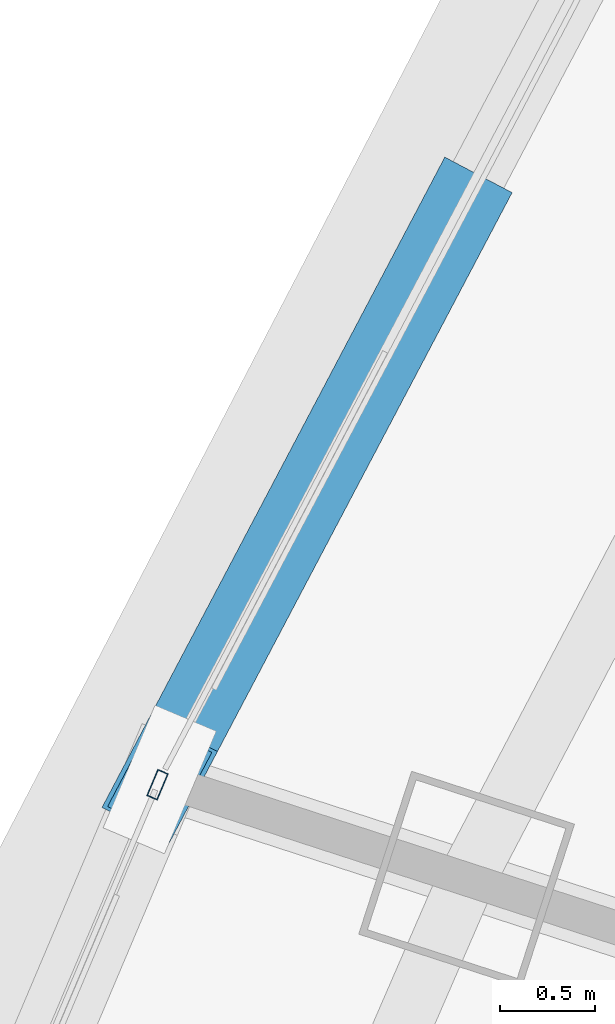
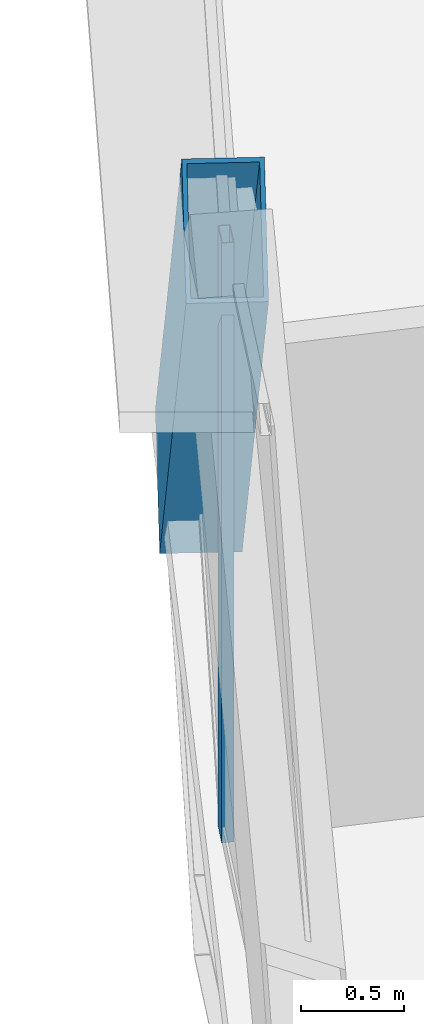
# One storey, part 8 of 38: 2 members, 1 element without a shape of its own.
"""IFC4 building model written with IfcOpenShell, lengths in metres."""

import ifcopenshell
import ifcopenshell.guid

model = None  # the IFC model being written
_history = None  # IfcOwnerHistory: only IFC2X3 demands one
_inside = {}  # id of a spatial element -> (the spatial element, [elements in it])
_under = {}  # id of a project, library or spatial element -> (it, [spatial elements below it])
_declared = {}  # id of a project -> (the project, [libraries it declares])
_typed = {}  # id of a type object -> (the type object, [elements of that type])
_made_of = {}  # id of a material, layer set ... -> (it, [elements and type objects made of it])


def new_model(schema):
    """Start an empty IFC model of exactly this schema.

    Asked for "IFC4X3", IfcOpenShell would pick the latest addendum, in which some entities
    have other attributes; the version numbers below select the first issue.
    IFC2X3 requires an IfcOwnerHistory on every rooted entity: one is made here for all.
    """
    global model, _history
    if schema == "IFC4X3":
        model = ifcopenshell.file(schema_version=(4, 3, 0, 0))
    else:
        model = ifcopenshell.file(schema=schema)
    _inside.clear()
    _under.clear()
    _declared.clear()
    _typed.clear()
    _made_of.clear()
    _history = None
    if model.schema == "IFC2X3":
        org = make("IfcOrganization", Name="unknown")
        user = make(
            "IfcPersonAndOrganization",
            ThePerson=make("IfcPerson", FamilyName="unknown"),
            TheOrganization=org,
        )
        app = make(
            "IfcApplication",
            ApplicationDeveloper=org,
            Version="unknown",
            ApplicationFullName="unknown",
            ApplicationIdentifier="unknown",
        )
        _history = make(
            "IfcOwnerHistory",
            OwningUser=user,
            OwningApplication=app,
            ChangeAction="ADDED",
            CreationDate=0,
        )
    return model


def make(cls, **values):
    """One entity of the class cls with the attributes given. An attribute that is None is left unset."""
    return model.create_entity(
        cls, **{name: value for name, value in values.items() if value is not None}
    )


def rooted(cls, **values):
    """An entity with a GlobalId (a new one), such as an element, a storey or a relation."""
    return make(cls, GlobalId=ifcopenshell.guid.new(), OwnerHistory=_history, **values)


def si_unit(unit_type, name, prefix=None):
    """IfcSIUnit, for example si_unit("LENGTHUNIT", "METRE", prefix="MILLI")."""
    return make("IfcSIUnit", UnitType=unit_type, Prefix=prefix, Name=name)


def assignment(units):
    """IfcUnitAssignment: the units of a project."""
    return None if units is None else make("IfcUnitAssignment", Units=units)


def point(xyz):
    """IfcCartesianPoint."""
    return None if xyz is None else make("IfcCartesianPoint", Coordinates=xyz)


def direction(xyz):
    """IfcDirection."""
    return None if xyz is None else make("IfcDirection", DirectionRatios=xyz)


def frame(location, z_axis=None, x_axis=None):
    """IfcAxis2Placement3D, a coordinate frame: its origin and axes. An axis left out is left unset."""
    return make(
        "IfcAxis2Placement3D",
        Location=point(location),
        Axis=direction(z_axis),
        RefDirection=direction(x_axis),
    )


def frame_2d(location, x_axis=None):
    """IfcAxis2Placement2D, a coordinate frame in the plane: its origin and x axis."""
    return make(
        "IfcAxis2Placement2D", Location=point(location), RefDirection=direction(x_axis)
    )


def origin():
    """The frame at (0, 0, 0) with its axes left unset."""
    return frame((0.0, 0.0, 0.0))


def origin_2d():
    """The frame at (0, 0) in the plane with its x axis left unset."""
    return frame_2d((0.0, 0.0))


def place(relative_to, where):
    """IfcLocalPlacement: puts the frame where relative to a parent placement (None: the world)."""
    return make(
        "IfcLocalPlacement", PlacementRelTo=relative_to, RelativePlacement=where
    )


def context(
    kind, dimensions, precision=None, world=None, true_north=None, identifier=None
):
    """IfcGeometricRepresentationContext, for example the 3D "Model" context."""
    return make(
        "IfcGeometricRepresentationContext",
        ContextIdentifier=identifier,
        ContextType=kind,
        CoordinateSpaceDimension=dimensions,
        Precision=precision,
        WorldCoordinateSystem=world,
        TrueNorth=true_north,
    )


def subcontext(parent, identifier, kind, view, scale=None):
    """IfcGeometricRepresentationSubContext, for example "Body" below "Model"."""
    return make(
        "IfcGeometricRepresentationSubContext",
        ContextIdentifier=identifier,
        ContextType=kind,
        ParentContext=parent,
        TargetScale=scale,
        TargetView=view,
    )


def project(units=None, contexts=None):
    """IfcProject with its units and contexts."""
    return rooted(
        "IfcProject",
        Name="project",
        RepresentationContexts=contexts,
        UnitsInContext=assignment(units),
    )


def spatial(cls, under=None, at=None, **own):
    """A site, building, storey or space (cls), placed at a placement, below another one or the project."""
    s = rooted(cls, ObjectPlacement=at, **own)
    if under is not None:
        _under.setdefault(under.id(), (under, []))[1].append(s)
    return s


def profile(cls, at=None, kind="AREA", **sizes):
    """A parametric profile (cls). Its sizes go by their IFC names, for example OverallWidth=200.0."""
    return make(cls, ProfileType=kind, Position=at, **sizes)


def hollow_rectangle(**sizes):
    """IfcRectangleHollowProfileDef."""
    return profile("IfcRectangleHollowProfileDef", **sizes)


def extrude(swept, where, along, depth):
    """IfcExtrudedAreaSolid: the profile swept, set in the frame where, extruded along a direction by depth."""
    return make(
        "IfcExtrudedAreaSolid",
        SweptArea=swept,
        Position=where,
        ExtrudedDirection=direction(along),
        Depth=depth,
    )


def shape(context_of_items, identifier, shape_type, items):
    """IfcShapeRepresentation: the items that make up one representation, for example the "Body"."""
    return make(
        "IfcShapeRepresentation",
        ContextOfItems=context_of_items,
        RepresentationIdentifier=identifier,
        RepresentationType=shape_type,
        Items=items,
    )


def source(mapping_origin, context_of_items, identifier, shape_type, items):
    """IfcRepresentationMap: a shape defined once, which mapped items show again and again."""
    return make(
        "IfcRepresentationMap",
        MappingOrigin=mapping_origin,
        MappedRepresentation=shape(context_of_items, identifier, shape_type, items),
    )


def transform(
    local_origin,
    x_axis=None,
    y_axis=None,
    z_axis=None,
    scale=None,
    scale2=None,
    scale3=None,
    uniform=True,
):
    """IfcCartesianTransformationOperator3D, or its non-uniform kind. x_axis, y_axis, z_axis: its Axis1, 2, 3."""
    if uniform:
        return make(
            "IfcCartesianTransformationOperator3D",
            Axis1=direction(x_axis),
            Axis2=direction(y_axis),
            LocalOrigin=point(local_origin),
            Scale=scale,
            Axis3=direction(z_axis),
        )
    return make(
        "IfcCartesianTransformationOperator3DnonUniform",
        Axis1=direction(x_axis),
        Axis2=direction(y_axis),
        LocalOrigin=point(local_origin),
        Scale=scale,
        Axis3=direction(z_axis),
        Scale2=scale2,
        Scale3=scale3,
    )


def mapped(mapping_source, mapping_target):
    """IfcMappedItem: shows the shape of a source again, moved by a transform."""
    return make(
        "IfcMappedItem", MappingSource=mapping_source, MappingTarget=mapping_target
    )


def material(Name=None, Category=None):
    """IfcMaterial."""
    return make("IfcMaterial", Name=Name, Category=Category)


def layer(
    of_material, thickness, ventilated=None, Name=None, Category=None, Priority=None
):
    """IfcMaterialLayer: one layer of a wall or slab, of a material (None: an air gap)."""
    return make(
        "IfcMaterialLayer",
        Material=of_material,
        LayerThickness=thickness,
        IsVentilated=ventilated,
        Name=Name,
        Category=Category,
        Priority=Priority,
    )


def layer_set(layers, Name=None):
    """IfcMaterialLayerSet."""
    return make("IfcMaterialLayerSet", MaterialLayers=layers, LayerSetName=Name)


def material_profile(
    of_material, cross_section, Name=None, Category=None, Priority=None
):
    """IfcMaterialProfile: a cross section and its material."""
    return make(
        "IfcMaterialProfile",
        Name=Name,
        Material=of_material,
        Profile=cross_section,
        Priority=Priority,
        Category=Category,
    )


def profile_set(profiles, Name=None, composite=None):
    """IfcMaterialProfileSet."""
    return make(
        "IfcMaterialProfileSet",
        Name=Name,
        MaterialProfiles=profiles,
        CompositeProfile=composite,
    )


def made_of(thing, what):
    """Note that an element or type object is made of a material, layer set ...; save() writes the relation."""
    if what is not None:
        _made_of.setdefault(what.id(), (what, []))[1].append(thing)
    return thing


def type_object(cls, material=None, **own):
    """A type object (cls), such as IfcWallType, which elements share."""
    return made_of(rooted(cls, **own), material)


def element(
    cls,
    number,
    at=None,
    inside=None,
    cuts=None,
    type_object=None,
    material=None,
    context=None,
    identifier="Body",
    shape_type=None,
    held_by="IfcProductDefinitionShape",
    body=None,
    shapes=None,
    **own,
):
    """One element of the class cls, such as IfcWall. Its Tag is "e" and its number.

    at: its placement. inside: the storey or other place that contains it. cuts: it is an
    opening in that element (IfcRelVoidsElement). A single representation is given by context,
    identifier, shape_type and body (its items); several are given by shapes. held_by: the class
    of the entity that holds the representations. save() writes the other relations.
    """
    e = rooted(cls, Tag="e%d" % number, ObjectPlacement=at, **own)
    if body is not None:
        shapes = [shape(context, identifier, shape_type, body)]
    if shapes is not None:
        e.Representation = make(held_by, Representations=shapes)
    if inside is not None:
        _inside.setdefault(inside.id(), (inside, []))[1].append(e)
    if cuts is not None:
        rooted(
            "IfcRelVoidsElement", RelatingBuildingElement=cuts, RelatedOpeningElement=e
        )
    if type_object is not None:
        _typed.setdefault(type_object.id(), (type_object, []))[1].append(e)
    return made_of(e, material)


def aggregate(whole, parts):
    """IfcRelAggregates: a whole, such as a stair, and the parts it consists of."""
    return rooted("IfcRelAggregates", RelatingObject=whole, RelatedObjects=parts)


def save(model, path):
    """Write the relations noted so far, then the file.

    IfcRelAggregates (storeys below a building ...), IfcRelContainedInSpatialStructure (elements
    in a storey), IfcRelDefinesByType, IfcRelAssociatesMaterial and IfcRelDeclares: one each for
    every whole, place, type object, material and project.
    """
    for whole, parts in _under.values():
        aggregate(whole, parts)
    for where, things in _inside.values():
        rooted(
            "IfcRelContainedInSpatialStructure",
            RelatedElements=things,
            RelatingStructure=where,
        )
    for kind, things in _typed.values():
        rooted("IfcRelDefinesByType", RelatedObjects=things, RelatingType=kind)
    for what, things in _made_of.values():
        rooted("IfcRelAssociatesMaterial", RelatedObjects=things, RelatingMaterial=what)
    for by, libraries in _declared.values():
        rooted("IfcRelDeclares", RelatingContext=by, RelatedDefinitions=libraries)
    model.write(path)


model = new_model("IFC4")

# Units and contexts
model_context = context("Model", 3, precision=1e-05, world=origin(), true_north=direction((0.0, 1.0)))
body_context = subcontext(model_context, "Body", "Model", "MODEL_VIEW")
ifc_project = project(units=[si_unit("LENGTHUNIT", "METRE"), si_unit("AREAUNIT", "SQUARE_METRE"), si_unit("VOLUMEUNIT", "CUBIC_METRE"), si_unit("PLANEANGLEUNIT", "RADIAN"), si_unit("MASSUNIT", "GRAM", prefix="KILO"), si_unit("THERMODYNAMICTEMPERATUREUNIT", "KELVIN"), si_unit("POWERUNIT", "WATT")], contexts=[model_context])

# Site, building, storey
site_placement = place(None, origin())
site = spatial("IfcSite", under=ifc_project, at=site_placement, CompositionType="ELEMENT")
building_placement = place(site_placement, origin())
building = spatial("IfcBuilding", under=site, at=building_placement, Name="Yunzhuo Pagoda Commons", CompositionType="ELEMENT")
storey_placement = place(building_placement, frame((0.0, 0.0, 203.760009765625)))
storey = spatial("IfcBuildingStorey", under=building, at=storey_placement, Name="L51", CompositionType="ELEMENT", Elevation=203.760009765625)

# Member
ifc_material_1 = material(Name="Structural steel Q355B", Category="steel")
ifc_material_profile_1 = material_profile(ifc_material_1, hollow_rectangle(XDim=0.39990234375, YDim=0.719970703125, WallThickness=0.02392578125, at=origin_2d()), Name="Structural steel Q355B")
ifc_profile_set_1 = profile_set([ifc_material_profile_1], Name="Structural steel Q355B")
member_type_1 = type_object("IfcMemberType", Name="M-DL2 Brace BOX 720x400x24", PredefinedType="BRACE", material=ifc_profile_set_1)
shared_shape_1 = source(origin(), body_context, "Body", "SweptSolid", [
    extrude(hollow_rectangle(XDim=0.39990234375, YDim=0.719970703125, WallThickness=0.02392578125, at=origin_2d()), origin(), (0.0, 0.0, 1.0), 5.046630859375),
])
member_1_placement = place(storey_placement, frame((19.441162109375, 46.419921875, -0.260009765625), z_axis=(-0.306861600921, -0.582083995316, 0.753003439751), x_axis=(0.884603842661, -0.466343265791, 0.0)))
element("IfcMember", 1, at=member_1_placement, inside=storey, type_object=member_type_1, Name="L51 facade diamond brace F3.2R", PredefinedType="BRACE", context=body_context, shape_type="MappedRepresentation", body=[
    mapped(shared_shape_1, transform((0.0, 0.0, 0.0), scale=1.0)),
])

# Curtain wall, member
ifc_material_2 = material(Name="Anodized aluminium 6063-T6", Category="aluminium")
ifc_layer = layer(ifc_material_2, 0.14990234375)
ifc_layer_set = layer_set([ifc_layer], Name="Anodized aluminium 6063-T6")
curtain_wall_type = type_object("IfcCurtainWallType", Name="CW-MID Mid-Zone Ribbon Curtain Wall", PredefinedType="NOTDEFINED", material=ifc_layer_set)
curtain_wall_placement = place(storey_placement, origin())
curtain_wall = element("IfcCurtainWall", 2, at=curtain_wall_placement, inside=storey, type_object=curtain_wall_type, Name="L51 curtain wall CW-L51-F3B4", PredefinedType="NOTDEFINED")
ifc_material_profile_2 = material_profile(ifc_material_2, hollow_rectangle(XDim=0.06005859375, YDim=0.14990234375, WallThickness=0.00390625, at=origin_2d()), Name="Anodized aluminium 6063-T6")
ifc_profile_set_2 = profile_set([ifc_material_profile_2], Name="Anodized aluminium 6063-T6")
member_type_2 = type_object("IfcMemberType", Name="CW-MID-M Mullion RHS 150x60x4", PredefinedType="MULLION", material=ifc_profile_set_2)
shared_shape_2 = source(origin(), body_context, "Body", "SweptSolid", [
    extrude(hollow_rectangle(XDim=0.06005859375, YDim=0.14990234375, WallThickness=0.00390625, at=origin_2d()), origin(), (0.0, 0.0, 1.0), 3.5400390625),
])
member_2_placement = place(storey_placement, frame((17.880859375, 43.454833984375, 0.0), z_axis=(0.0, 0.0, 1.0), x_axis=(0.920824274127, -0.389977763697, 0.0)))
member_2 = element("IfcMember", 3, at=member_2_placement, type_object=member_type_2, Name="CW mullion 1", PredefinedType="MULLION", context=body_context, shape_type="MappedRepresentation", body=[
    mapped(shared_shape_2, transform((0.0, 0.0, 0.0), scale=1.0)),
])
aggregate(curtain_wall, [member_2])

save(model, "model.ifc")
